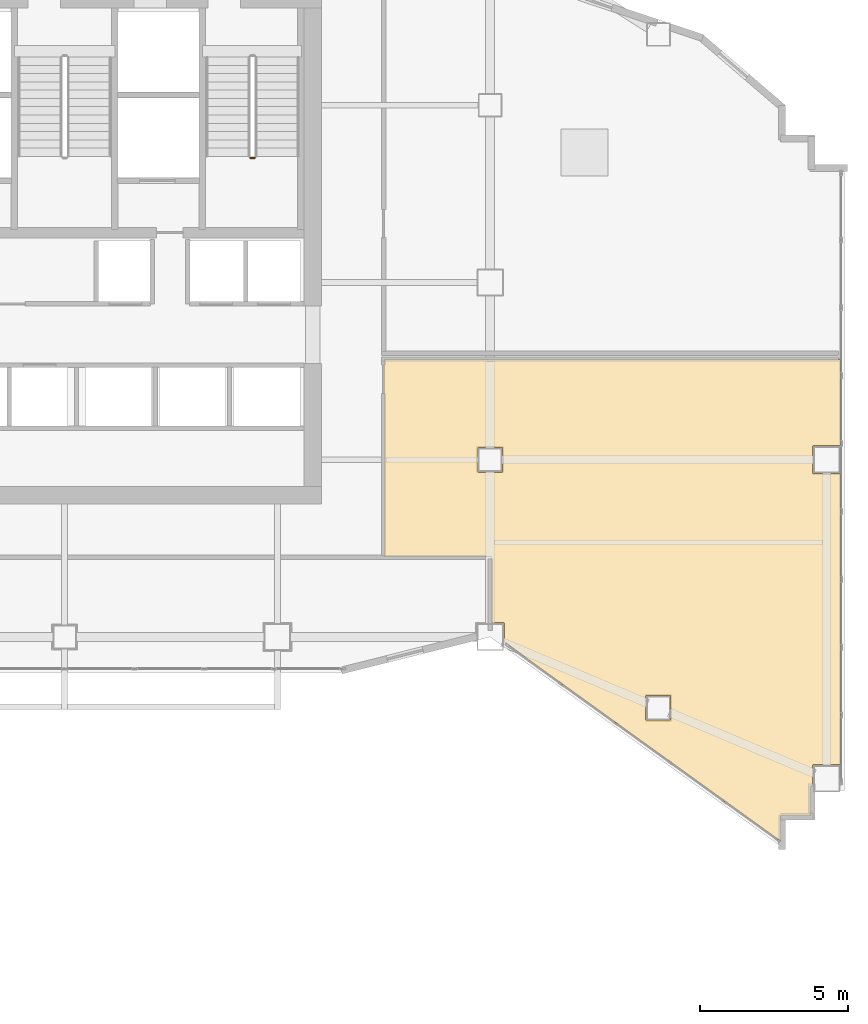
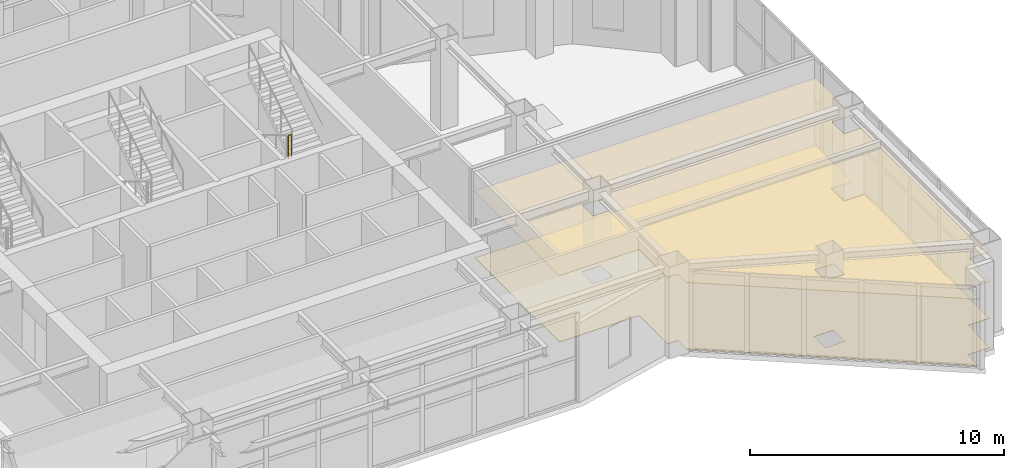
# One storey, part 15 of 16: 2 coverings, 1 railing.
"""IFC4 building model written with IfcOpenShell, lengths in metres."""

from ifc_helpers import new_model, si_unit, direction, frame, origin, origin_2d, place, context, subcontext, project, spatial, polyline, circle, outline, extrude, material, layer, layer_set, type_object, element, save


model = new_model("IFC4")

# Units and contexts
model_context = context("Model", 3, precision=1e-05, world=origin(), true_north=direction((0.0, 1.0)))
body_context = subcontext(model_context, "Body", "Model", "MODEL_VIEW")
ifc_project = project(units=[si_unit("LENGTHUNIT", "METRE"), si_unit("AREAUNIT", "SQUARE_METRE"), si_unit("VOLUMEUNIT", "CUBIC_METRE"), si_unit("PLANEANGLEUNIT", "RADIAN"), si_unit("MASSUNIT", "GRAM", prefix="KILO")], contexts=[model_context])

# Site, building, storey
site_placement = place(None, origin())
site = spatial("IfcSite", under=ifc_project, at=site_placement, CompositionType="ELEMENT")
building_placement = place(site_placement, origin())
building = spatial("IfcBuilding", under=site, at=building_placement, Name="Haolan Belvedere Tower", CompositionType="ELEMENT")
storey_placement = place(building_placement, frame((0.0, 0.0, 164.60009765625)))
storey = spatial("IfcBuildingStorey", under=building, at=storey_placement, Name="L41", CompositionType="ELEMENT", Elevation=164.60009765625)

# Coverings
ifc_material_1 = material(Name="Acoustic mineral-fibre suspended ceiling system", Category="masonry")
ifc_layer_1 = layer(ifc_material_1, 0.02490234375, Name="Acoustic mineral-fibre suspended ceiling system")
ifc_layer_set_1 = layer_set([ifc_layer_1], Name="Acoustic mineral-fibre suspended ceiling system")
covering_type_1 = type_object("IfcCoveringType", Name="COV-CEIL-AC25", PredefinedType="CEILING", material=ifc_layer_set_1)
covering_1_placement = place(storey_placement, frame((0.0, 0.0, 3.199951171875)))
element("IfcCovering", 1, at=covering_1_placement, inside=storey, type_object=covering_type_1, Name="L41 suspended acoustic ceiling L41-LIB.3", PredefinedType="CEILING", context=body_context, shape_type="SweptSolid", body=[
    extrude(outline(polyline([(52.80078125, 24.302978515625), (52.801025390625, 24.302734375), (52.801513671875, 24.302490234375), (52.8017578125, 24.302490234375), (52.8017578125, 24.30224609375), (52.802001953125, 24.302001953125), (52.80224609375, 24.3017578125), (52.802490234375, 24.3017578125), (52.802490234375, 24.301513671875), (52.802734375, 24.301025390625), (52.802978515625, 24.30078125), (52.802978515625, 24.30029296875), (52.802978515625, 24.299560546875), (52.802978515625, 22.06494140625), (53.264892578125, 22.06494140625), (53.264892578125, 21.41064453125), (62.681884765625, 14.63037109375), (62.681884765625, 15.51806640625), (63.681884765625, 15.51806640625), (63.681884765625, 16.51806640625), (63.735107421875, 16.51806640625), (63.735107421875, 17.264892578125), (64.681884765625, 17.264892578125), (64.681884765625, 27.135009765625), (63.735107421875, 27.135009765625), (63.735107421875, 28.06494140625), (64.681884765625, 28.06494140625), (64.681884765625, 31.011962890625), (49.18798828125, 31.011962890625), (49.18798828125, 24.302978515625), (52.799560546875, 24.302978515625), (52.80029296875, 24.302978515625), (52.80078125, 24.302978515625)]), holes=[polyline([(58.0849609375, 18.784912109375), (58.0849609375, 19.614990234375), (58.9150390625, 19.614990234375), (58.9150390625, 18.784912109375), (58.0849609375, 18.784912109375)]), polyline([(52.385009765625, 27.18505859375), (52.385009765625, 28.014892578125), (53.215087890625, 28.014892578125), (53.215087890625, 27.18505859375), (52.385009765625, 27.18505859375)])]), origin(), (0.0, 0.0, 1.0), 0.02490234375),
])
ifc_material_2 = material(Name="Honed terrazzo and natural granite stone flooring", Category="masonry")
ifc_layer_2 = layer(ifc_material_2, 0.014892578125, Name="Honed terrazzo and natural granite stone flooring")
ifc_layer_set_2 = layer_set([ifc_layer_2], Name="Honed terrazzo and natural granite stone flooring")
covering_type_2 = type_object("IfcCoveringType", Name="COV-FLR-STN30", PredefinedType="FLOORING", material=ifc_layer_set_2)
covering_2_placement = place(storey_placement, origin())
element("IfcCovering", 2, at=covering_2_placement, inside=storey, type_object=covering_type_2, Name="L41 polished stone floor finish L41-LIB.3", PredefinedType="FLOORING", context=body_context, shape_type="SweptSolid", body=[
    extrude(outline(polyline([(52.814697265625, 24.32470703125), (52.815185546875, 24.324462890625), (52.8173828125, 24.322265625), (52.822998046875, 24.3193359375), (52.82470703125, 24.314697265625), (52.826171875, 24.31298828125), (52.827880859375, 24.302490234375), (52.827880859375, 22.090087890625), (53.2900390625, 22.090087890625), (53.2900390625, 21.42333984375), (62.656982421875, 14.67919921875), (62.656982421875, 15.54296875), (63.656982421875, 15.54296875), (63.656982421875, 16.54296875), (63.7099609375, 16.54296875), (63.7099609375, 17.2900390625), (64.656982421875, 17.2900390625), (64.656982421875, 27.110107421875), (63.7099609375, 27.110107421875), (63.7099609375, 28.090087890625), (64.656982421875, 28.090087890625), (64.656982421875, 30.987060546875), (49.212890625, 30.987060546875), (49.212890625, 24.327880859375), (52.802490234375, 24.327880859375), (52.81298828125, 24.326171875), (52.814697265625, 24.32470703125)]), holes=[polyline([(58.06005859375, 19.639892578125), (58.93994140625, 19.639892578125), (58.93994140625, 18.760009765625), (58.06005859375, 18.760009765625), (58.06005859375, 19.639892578125)]), polyline([(52.360107421875, 28.0400390625), (53.239990234375, 28.0400390625), (53.239990234375, 27.159912109375), (52.360107421875, 27.159912109375), (52.360107421875, 28.0400390625)])]), origin(), (0.0, 0.0, 1.0), 0.014892578125),
])

# Railing
ifc_material_3 = material(Name="Brushed stainless steel 304", Category="steel")
railing_type = type_object("IfcRailingType", Name="RL-STAIR-GRD-1150", PredefinedType="GUARDRAIL", material=ifc_material_3)
railing_placement = place(storey_placement, frame((44.68994140625, 37.820068359375, 2.199951171875)))
element("IfcRailing", 3, at=railing_placement, inside=storey, type_object=railing_type, Name="L41 ST2 stair guard 2", PredefinedType="GUARDRAIL", context=body_context, shape_type="SweptSolid", body=[
    extrude(circle(Radius=0.02392578125, at=origin_2d()), frame((0.0, 0.0, 1.1259765625), z_axis=(1.0, 0.0, 0.0), x_axis=(0.0, 1.0, 0.0)), (0.0, 0.0, 1.0), 0.14013671875),
    extrude(circle(Radius=0.02099609375, at=origin_2d()), origin(), (0.0, 0.0, 1.0), 1.101806640625),
    extrude(circle(Radius=0.02099609375, at=origin_2d()), frame((0.14013671875, 0.0, 0.0)), (0.0, 0.0, 1.0), 1.101806640625),
])

save(model, "model.ifc")
